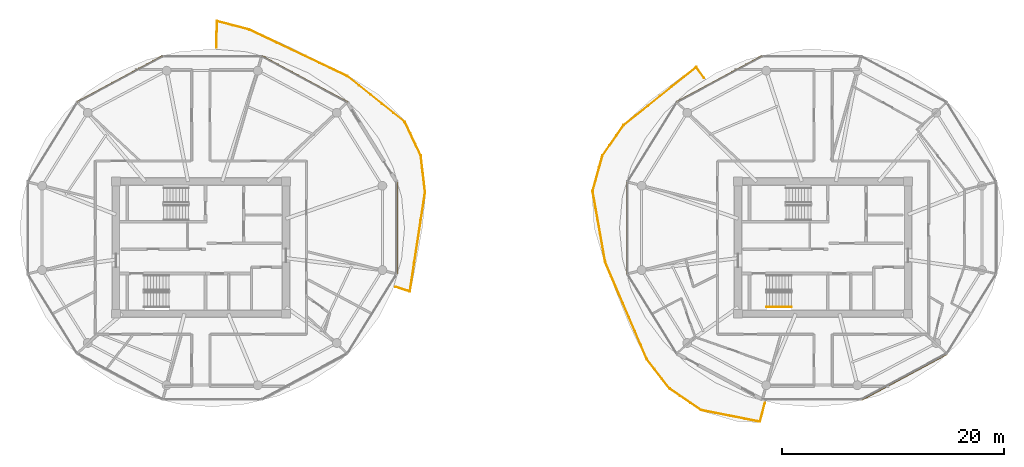
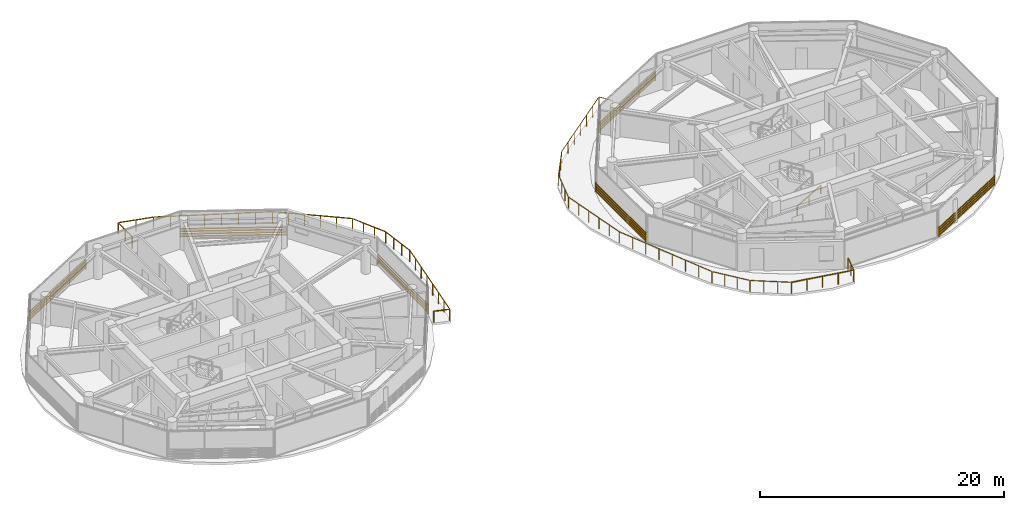
# One storey, part 20 of 21: 6 shading devices, 4 railings.
"""IFC4 building model written with IfcOpenShell, lengths in metres."""

from ifc_helpers import new_model, si_unit, direction, frame, origin, origin_2d, place, context, subcontext, project, spatial, rectangle, extrude, source, transform, mapped, material, type_object, type_shapes, element, save


model = new_model("IFC4")

# Units and contexts
model_context = context("Model", 3, precision=1e-05, world=origin(), true_north=direction((0.0, 1.0)))
body_context = subcontext(model_context, "Body", "Model", "MODEL_VIEW")
ifc_project = project(units=[si_unit("LENGTHUNIT", "METRE"), si_unit("AREAUNIT", "SQUARE_METRE"), si_unit("VOLUMEUNIT", "CUBIC_METRE"), si_unit("PLANEANGLEUNIT", "RADIAN"), si_unit("MASSUNIT", "GRAM", prefix="KILO")], contexts=[model_context])

# Site, building, storey
site_placement = place(None, origin())
site = spatial("IfcSite", under=ifc_project, at=site_placement, CompositionType="ELEMENT")
building_placement = place(site_placement, origin())
building = spatial("IfcBuilding", under=site, at=building_placement, Name="Norrkilde Senior Care Towers", CompositionType="ELEMENT")
storey_placement = place(building_placement, frame((0.0, 0.0, 140.39990234375)))
storey = spatial("IfcBuildingStorey", under=building, at=storey_placement, Name="L43", CompositionType="ELEMENT", Elevation=140.39990234375)

# Railings
ifc_material_1 = material(Name="Anodised Aluminium", Category="aluminium")
railing_type_1 = type_object("IfcRailingType", Name="Balcony Swirl Ribbon Guardrail 1150", PredefinedType="GUARDRAIL", material=ifc_material_1)
railing_1_placement = place(storey_placement, frame((17.0048828125, -14.615478515625, 0.0)))
element("IfcRailing", 1, at=railing_1_placement, inside=storey, type_object=railing_type_1, Name="L43 Perimeter Safety Guard 01", PredefinedType="GUARDRAIL", context=body_context, shape_type="SweptSolid", body=[
    extrude(rectangle(XDim=0.048095703125, YDim=0.048095703125, at=origin_2d()), frame((0.0, 0.0, 1.1259765625), z_axis=(-0.824884665875, 0.565301059618, 0.0), x_axis=(-0.565301059618, -0.824884665875, 0.0)), (0.0, 0.0, 1.0), 3.36181640625),
    extrude(rectangle(XDim=0.048095703125, YDim=0.048095703125, at=origin_2d()), frame((-2.83203125, 1.955810546875, 1.1259765625), z_axis=(-0.612551311517, 0.790430826043, 0.0), x_axis=(-0.790430826043, -0.612551311517, 0.0)), (0.0, 0.0, 1.0), 3.29052734375),
    extrude(rectangle(XDim=0.048095703125, YDim=0.048095703125, at=origin_2d()), frame((-4.888671875, 4.626708984375, 1.1259765625), z_axis=(-0.39377339906, 0.919207544678, 0.0), x_axis=(-0.919207544678, -0.39377339906, 0.0)), (0.0, 0.0, 1.0), 9.410400390625),
    extrude(rectangle(XDim=0.048095703125, YDim=0.048095703125, at=origin_2d()), frame((-8.617431640625, 13.354736328125, 1.1259765625), z_axis=(-0.175154941159, 0.984540881116, 0.0), x_axis=(-0.984540881116, -0.175154941159, 0.0)), (0.0, 0.0, 1.0), 6.4052734375),
    extrude(rectangle(XDim=0.048095703125, YDim=0.048095703125, at=origin_2d()), frame((-9.735595703125, 19.740478515625, 1.1259765625), z_axis=(0.266820201324, 0.96374632563, 0.0), x_axis=(-0.96374632563, 0.266820201324, 0.0)), (0.0, 0.0, 1.0), 3.236083984375),
    extrude(rectangle(XDim=0.048095703125, YDim=0.048095703125, at=origin_2d()), frame((-8.837890625, 22.932373046875, 1.1259765625), z_axis=(0.570566130696, 0.821251660883, 0.0), x_axis=(-0.821251660883, 0.570566130696, 0.0)), (0.0, 0.0, 1.0), 3.2490234375),
    extrude(rectangle(XDim=0.048095703125, YDim=0.048095703125, at=origin_2d()), frame((-6.928955078125, 25.659423828125, 1.1259765625), z_axis=(0.781661751106, 0.623702578845, 0.0), x_axis=(-0.623702578845, 0.781661751106, 0.0)), (0.0, 0.0, 1.0), 8.292236328125),
    extrude(rectangle(XDim=0.048095703125, YDim=0.048095703125, at=origin_2d()), frame((-0.3916015625, 30.82373046875, 1.1259765625), z_axis=(0.579476006313, -0.814989299382, 0.0), x_axis=(0.814989299382, 0.579476006313, 0.0)), (0.0, 0.0, 1.0), 1.165771484375),
    extrude(rectangle(XDim=0.0419921875, YDim=0.0419921875, at=origin_2d()), origin(), (0.0, 0.0, 1.0), 1.099853515625),
    extrude(rectangle(XDim=0.0419921875, YDim=0.0419921875, at=origin_2d()), frame((-0.935546875, 0.64111328125, 0.0)), (0.0, 0.0, 1.0), 1.099853515625),
    extrude(rectangle(XDim=0.0419921875, YDim=0.0419921875, at=origin_2d()), frame((-1.871337890625, 1.282470703125, 0.0)), (0.0, 0.0, 1.0), 1.099853515625),
    extrude(rectangle(XDim=0.0419921875, YDim=0.0419921875, at=origin_2d()), frame((-2.806884765625, 1.923583984375, 0.0)), (0.0, 0.0, 1.0), 1.099853515625),
    extrude(rectangle(XDim=0.0419921875, YDim=0.0419921875, at=origin_2d()), frame((-3.495361328125, 2.81201171875, 0.0)), (0.0, 0.0, 1.0), 1.099853515625),
    extrude(rectangle(XDim=0.0419921875, YDim=0.0419921875, at=origin_2d()), frame((-4.18408203125, 3.70068359375, 0.0)), (0.0, 0.0, 1.0), 1.099853515625),
    extrude(rectangle(XDim=0.0419921875, YDim=0.0419921875, at=origin_2d()), frame((-4.87255859375, 4.589111328125, 0.0)), (0.0, 0.0, 1.0), 1.099853515625),
    extrude(rectangle(XDim=0.0419921875, YDim=0.0419921875, at=origin_2d()), frame((-5.406494140625, 5.835693359375, 0.0)), (0.0, 0.0, 1.0), 1.099853515625),
    extrude(rectangle(XDim=0.0419921875, YDim=0.0419921875, at=origin_2d()), frame((-5.9404296875, 7.08203125, 0.0)), (0.0, 0.0, 1.0), 1.099853515625),
    extrude(rectangle(XDim=0.0419921875, YDim=0.0419921875, at=origin_2d()), frame((-6.474365234375, 8.32861328125, 0.0)), (0.0, 0.0, 1.0), 1.099853515625),
    extrude(rectangle(XDim=0.0419921875, YDim=0.0419921875, at=origin_2d()), frame((-7.008544921875, 9.574951171875, 0.0)), (0.0, 0.0, 1.0), 1.099853515625),
    extrude(rectangle(XDim=0.0419921875, YDim=0.0419921875, at=origin_2d()), frame((-7.54248046875, 10.821533203125, 0.0)), (0.0, 0.0, 1.0), 1.099853515625),
    extrude(rectangle(XDim=0.0419921875, YDim=0.0419921875, at=origin_2d()), frame((-8.076416015625, 12.06787109375, 0.0)), (0.0, 0.0, 1.0), 1.099853515625),
    extrude(rectangle(XDim=0.0419921875, YDim=0.0419921875, at=origin_2d()), frame((-8.6103515625, 13.314453125, 0.0)), (0.0, 0.0, 1.0), 1.099853515625),
    extrude(rectangle(XDim=0.0419921875, YDim=0.0419921875, at=origin_2d()), frame((-8.837646484375, 14.591796875, 0.0)), (0.0, 0.0, 1.0), 1.099853515625),
    extrude(rectangle(XDim=0.0419921875, YDim=0.0419921875, at=origin_2d()), frame((-9.06494140625, 15.869140625, 0.0)), (0.0, 0.0, 1.0), 1.099853515625),
    extrude(rectangle(XDim=0.0419921875, YDim=0.0419921875, at=origin_2d()), frame((-9.2919921875, 17.146484375, 0.0)), (0.0, 0.0, 1.0), 1.099853515625),
    extrude(rectangle(XDim=0.0419921875, YDim=0.0419921875, at=origin_2d()), frame((-9.519287109375, 18.423828125, 0.0)), (0.0, 0.0, 1.0), 1.099853515625),
    extrude(rectangle(XDim=0.0419921875, YDim=0.0419921875, at=origin_2d()), frame((-9.74658203125, 19.701171875, 0.0)), (0.0, 0.0, 1.0), 1.099853515625),
    extrude(rectangle(XDim=0.0419921875, YDim=0.0419921875, at=origin_2d()), frame((-9.451416015625, 20.76708984375, 0.0)), (0.0, 0.0, 1.0), 1.099853515625),
    extrude(rectangle(XDim=0.0419921875, YDim=0.0419921875, at=origin_2d()), frame((-9.156494140625, 21.832763671875, 0.0)), (0.0, 0.0, 1.0), 1.099853515625),
    extrude(rectangle(XDim=0.0419921875, YDim=0.0419921875, at=origin_2d()), frame((-8.861328125, 22.898681640625, 0.0)), (0.0, 0.0, 1.0), 1.099853515625),
    extrude(rectangle(XDim=0.0419921875, YDim=0.0419921875, at=origin_2d()), frame((-8.227783203125, 23.810546875, 0.0)), (0.0, 0.0, 1.0), 1.099853515625),
    extrude(rectangle(XDim=0.0419921875, YDim=0.0419921875, at=origin_2d()), frame((-7.594482421875, 24.72216796875, 0.0)), (0.0, 0.0, 1.0), 1.099853515625),
    extrude(rectangle(XDim=0.0419921875, YDim=0.0419921875, at=origin_2d()), frame((-6.9609375, 25.634033203125, 0.0)), (0.0, 0.0, 1.0), 1.099853515625),
    extrude(rectangle(XDim=0.0419921875, YDim=0.0419921875, at=origin_2d()), frame((-5.8701171875, 26.50439453125, 0.0)), (0.0, 0.0, 1.0), 1.099853515625),
    extrude(rectangle(XDim=0.0419921875, YDim=0.0419921875, at=origin_2d()), frame((-4.779052734375, 27.375, 0.0)), (0.0, 0.0, 1.0), 1.099853515625),
    extrude(rectangle(XDim=0.0419921875, YDim=0.0419921875, at=origin_2d()), frame((-3.68798828125, 28.24560546875, 0.0)), (0.0, 0.0, 1.0), 1.099853515625),
    extrude(rectangle(XDim=0.0419921875, YDim=0.0419921875, at=origin_2d()), frame((-2.59716796875, 29.115966796875, 0.0)), (0.0, 0.0, 1.0), 1.099853515625),
    extrude(rectangle(XDim=0.0419921875, YDim=0.0419921875, at=origin_2d()), frame((-1.50634765625, 29.986328125, 0.0)), (0.0, 0.0, 1.0), 1.099853515625),
    extrude(rectangle(XDim=0.0419921875, YDim=0.0419921875, at=origin_2d()), frame((-0.415283203125, 30.85693359375, 0.0)), (0.0, 0.0, 1.0), 1.099853515625),
    extrude(rectangle(XDim=0.0419921875, YDim=0.0419921875, at=origin_2d()), frame((0.283935546875, 29.87353515625, 0.0)), (0.0, 0.0, 1.0), 1.099853515625),
])
railing_2_placement = place(storey_placement, frame((22.75537109375, -13.96240234375, 0.0)))
element("IfcRailing", 2, at=railing_2_placement, inside=storey, type_object=railing_type_1, Name="L43 Perimeter Safety Guard 02", PredefinedType="GUARDRAIL", context=body_context, shape_type="SweptSolid", body=[
    extrude(rectangle(XDim=0.048095703125, YDim=0.048095703125, at=origin_2d()), frame((0.0, 0.0, 1.1259765625), z_axis=(-0.254288659261, -0.967128366749, 0.0), x_axis=(0.967128366749, -0.254288659261, 0.0)), (0.0, 0.0, 1.0), 1.720947265625),
    extrude(rectangle(XDim=0.048095703125, YDim=0.048095703125, at=origin_2d()), frame((-0.488037109375, -1.69580078125, 1.1259765625), z_axis=(-0.980924833514, 0.194387424994, 0.0), x_axis=(-0.194387424994, -0.980924833514, 0.0)), (0.0, 0.0, 1.0), 5.36474609375),
    extrude(rectangle(XDim=0.0419921875, YDim=0.0419921875, at=origin_2d()), origin(), (0.0, 0.0, 1.0), 1.099853515625),
    extrude(rectangle(XDim=0.0419921875, YDim=0.0419921875, at=origin_2d()), frame((-0.22412109375, -0.85205078125, 0.0)), (0.0, 0.0, 1.0), 1.099853515625),
    extrude(rectangle(XDim=0.0419921875, YDim=0.0419921875, at=origin_2d()), frame((-0.447998046875, -1.703857421875, 0.0)), (0.0, 0.0, 1.0), 1.099853515625),
    extrude(rectangle(XDim=0.0419921875, YDim=0.0419921875, at=origin_2d()), frame((-1.773681640625, -1.441162109375, 0.0)), (0.0, 0.0, 1.0), 1.099853515625),
    extrude(rectangle(XDim=0.0419921875, YDim=0.0419921875, at=origin_2d()), frame((-3.09912109375, -1.178466796875, 0.0)), (0.0, 0.0, 1.0), 1.099853515625),
    extrude(rectangle(XDim=0.0419921875, YDim=0.0419921875, at=origin_2d()), frame((-4.4248046875, -0.915771484375, 0.0)), (0.0, 0.0, 1.0), 1.099853515625),
    extrude(rectangle(XDim=0.0419921875, YDim=0.0419921875, at=origin_2d()), frame((-5.75048828125, -0.653076171875, 0.0)), (0.0, 0.0, 1.0), 1.099853515625),
])
railing_3_placement = place(storey_placement, frame((-26.595947265625, 18.025146484375, 0.0)))
element("IfcRailing", 3, at=railing_3_placement, inside=storey, type_object=railing_type_1, Name="L43 Perimeter Safety Guard 03", PredefinedType="GUARDRAIL", context=body_context, shape_type="SweptSolid", body=[
    extrude(rectangle(XDim=0.048095703125, YDim=0.048095703125, at=origin_2d()), frame((0.0, 0.0, 1.1259765625), z_axis=(0.01842718746, 0.999830204966, 0.0), x_axis=(-0.999830204966, 0.01842718746, 0.0)), (0.0, 0.0, 1.0), 2.3173828125),
    extrude(rectangle(XDim=0.048095703125, YDim=0.048095703125, at=origin_2d()), frame((0.0830078125, 2.34765625, 1.1259765625), z_axis=(0.967400308275, -0.253252134341, 0.0), x_axis=(0.253252134341, 0.967400308275, 0.0)), (0.0, 0.0, 1.0), 2.91064453125),
    extrude(rectangle(XDim=0.048095703125, YDim=0.048095703125, at=origin_2d()), frame((2.97509765625, 1.58251953125, 1.1259765625), z_axis=(0.903441193138, -0.428712036852, 0.0), x_axis=(0.428712036852, 0.903441193138, 0.0)), (0.0, 0.0, 1.0), 9.712158203125),
    extrude(rectangle(XDim=0.048095703125, YDim=0.048095703125, at=origin_2d()), frame((11.818359375, -2.6240234375, 1.1259765625), z_axis=(0.781400050526, -0.624030416757, 0.0), x_axis=(0.624030416757, 0.781400050526, 0.0)), (0.0, 0.0, 1.0), 6.55029296875),
    extrude(rectangle(XDim=0.048095703125, YDim=0.048095703125, at=origin_2d()), frame((16.986083984375, -6.774169921875, 1.1259765625), z_axis=(0.426618675713, -0.904431592512, 0.0), x_axis=(0.904431592512, 0.426618675713, 0.0)), (0.0, 0.0, 1.0), 3.251708984375),
    extrude(rectangle(XDim=0.048095703125, YDim=0.048095703125, at=origin_2d()), frame((18.3955078125, -9.792724609375, 1.1259765625), z_axis=(0.115030182965, -0.993361996961, 0.0), x_axis=(0.993361996961, 0.115030182965, 0.0)), (0.0, 0.0, 1.0), 3.22705078125),
    extrude(rectangle(XDim=0.048095703125, YDim=0.048095703125, at=origin_2d()), frame((18.765380859375, -13.07958984375, 1.1259765625), z_axis=(-0.151454312188, -0.988464259, 0.0), x_axis=(0.988464259, -0.151454312188, 0.0)), (0.0, 0.0, 1.0), 8.95654296875),
    extrude(rectangle(XDim=0.048095703125, YDim=0.048095703125, at=origin_2d()), frame((17.36376953125, -21.96044921875, 1.1259765625), z_axis=(-0.950587982941, 0.310455289354, 0.0), x_axis=(-0.310455289354, -0.950587982941, 0.0)), (0.0, 0.0, 1.0), 1.305419921875),
    extrude(rectangle(XDim=0.0419921875, YDim=0.0419921875, at=origin_2d()), origin(), (0.0, 0.0, 1.0), 1.099853515625),
    extrude(rectangle(XDim=0.0419921875, YDim=0.0419921875, at=origin_2d()), frame((0.021728515625, 1.178955078125, 0.0)), (0.0, 0.0, 1.0), 1.099853515625),
    extrude(rectangle(XDim=0.0419921875, YDim=0.0419921875, at=origin_2d()), frame((0.04345703125, 2.35791015625, 0.0)), (0.0, 0.0, 1.0), 1.099853515625),
    extrude(rectangle(XDim=0.0419921875, YDim=0.0419921875, at=origin_2d()), frame((1.49072265625, 1.97900390625, 0.0)), (0.0, 0.0, 1.0), 1.099853515625),
    extrude(rectangle(XDim=0.0419921875, YDim=0.0419921875, at=origin_2d()), frame((2.938232421875, 1.60009765625, 0.0)), (0.0, 0.0, 1.0), 1.099853515625),
    extrude(rectangle(XDim=0.0419921875, YDim=0.0419921875, at=origin_2d()), frame((4.2021484375, 1.000244140625, 0.0)), (0.0, 0.0, 1.0), 1.099853515625),
    extrude(rectangle(XDim=0.0419921875, YDim=0.0419921875, at=origin_2d()), frame((5.46630859375, 0.400390625, 0.0)), (0.0, 0.0, 1.0), 1.099853515625),
    extrude(rectangle(XDim=0.0419921875, YDim=0.0419921875, at=origin_2d()), frame((6.730224609375, -0.199462890625, 0.0)), (0.0, 0.0, 1.0), 1.099853515625),
    extrude(rectangle(XDim=0.0419921875, YDim=0.0419921875, at=origin_2d()), frame((7.994384765625, -0.799072265625, 0.0)), (0.0, 0.0, 1.0), 1.099853515625),
    extrude(rectangle(XDim=0.0419921875, YDim=0.0419921875, at=origin_2d()), frame((9.25830078125, -1.39892578125, 0.0)), (0.0, 0.0, 1.0), 1.099853515625),
    extrude(rectangle(XDim=0.0419921875, YDim=0.0419921875, at=origin_2d()), frame((10.5224609375, -1.998779296875, 0.0)), (0.0, 0.0, 1.0), 1.099853515625),
    extrude(rectangle(XDim=0.0419921875, YDim=0.0419921875, at=origin_2d()), frame((11.786376953125, -2.5986328125, 0.0)), (0.0, 0.0, 1.0), 1.099853515625),
    extrude(rectangle(XDim=0.0419921875, YDim=0.0419921875, at=origin_2d()), frame((12.82275390625, -3.42626953125, 0.0)), (0.0, 0.0, 1.0), 1.099853515625),
    extrude(rectangle(XDim=0.0419921875, YDim=0.0419921875, at=origin_2d()), frame((13.859375, -4.254150390625, 0.0)), (0.0, 0.0, 1.0), 1.099853515625),
    extrude(rectangle(XDim=0.0419921875, YDim=0.0419921875, at=origin_2d()), frame((14.895751953125, -5.081787109375, 0.0)), (0.0, 0.0, 1.0), 1.099853515625),
    extrude(rectangle(XDim=0.0419921875, YDim=0.0419921875, at=origin_2d()), frame((15.932373046875, -5.90966796875, 0.0)), (0.0, 0.0, 1.0), 1.099853515625),
    extrude(rectangle(XDim=0.0419921875, YDim=0.0419921875, at=origin_2d()), frame((16.96875, -6.7373046875, 0.0)), (0.0, 0.0, 1.0), 1.099853515625),
    extrude(rectangle(XDim=0.0419921875, YDim=0.0419921875, at=origin_2d()), frame((17.44287109375, -7.7421875, 0.0)), (0.0, 0.0, 1.0), 1.099853515625),
    extrude(rectangle(XDim=0.0419921875, YDim=0.0419921875, at=origin_2d()), frame((17.916748046875, -8.747314453125, 0.0)), (0.0, 0.0, 1.0), 1.099853515625),
    extrude(rectangle(XDim=0.0419921875, YDim=0.0419921875, at=origin_2d()), frame((18.390869140625, -9.752197265625, 0.0)), (0.0, 0.0, 1.0), 1.099853515625),
    extrude(rectangle(XDim=0.0419921875, YDim=0.0419921875, at=origin_2d()), frame((18.517822265625, -10.847900390625, 0.0)), (0.0, 0.0, 1.0), 1.099853515625),
    extrude(rectangle(XDim=0.0419921875, YDim=0.0419921875, at=origin_2d()), frame((18.64453125, -11.943359375, 0.0)), (0.0, 0.0, 1.0), 1.099853515625),
    extrude(rectangle(XDim=0.0419921875, YDim=0.0419921875, at=origin_2d()), frame((18.771484375, -13.0390625, 0.0)), (0.0, 0.0, 1.0), 1.099853515625),
    extrude(rectangle(XDim=0.0419921875, YDim=0.0419921875, at=origin_2d()), frame((18.575927734375, -14.3154296875, 0.0)), (0.0, 0.0, 1.0), 1.099853515625),
    extrude(rectangle(XDim=0.0419921875, YDim=0.0419921875, at=origin_2d()), frame((18.38037109375, -15.591552734375, 0.0)), (0.0, 0.0, 1.0), 1.099853515625),
    extrude(rectangle(XDim=0.0419921875, YDim=0.0419921875, at=origin_2d()), frame((18.184814453125, -16.867919921875, 0.0)), (0.0, 0.0, 1.0), 1.099853515625),
    extrude(rectangle(XDim=0.0419921875, YDim=0.0419921875, at=origin_2d()), frame((17.9892578125, -18.144287109375, 0.0)), (0.0, 0.0, 1.0), 1.099853515625),
    extrude(rectangle(XDim=0.0419921875, YDim=0.0419921875, at=origin_2d()), frame((17.793701171875, -19.420654296875, 0.0)), (0.0, 0.0, 1.0), 1.099853515625),
    extrude(rectangle(XDim=0.0419921875, YDim=0.0419921875, at=origin_2d()), frame((17.59814453125, -20.69677734375, 0.0)), (0.0, 0.0, 1.0), 1.099853515625),
    extrude(rectangle(XDim=0.0419921875, YDim=0.0419921875, at=origin_2d()), frame((17.402587890625, -21.97314453125, 0.0)), (0.0, 0.0, 1.0), 1.099853515625),
    extrude(rectangle(XDim=0.0419921875, YDim=0.0419921875, at=origin_2d()), frame((16.122802734375, -21.55517578125, 0.0)), (0.0, 0.0, 1.0), 1.099853515625),
])
ifc_material_2 = material(Name="Nordic Ash Timber", Category="wood")
railing_type_2 = type_object("IfcRailingType", Name="Wall and Stair Handrail 900", PredefinedType="HANDRAIL", material=ifc_material_2)
railing_4_placement = place(storey_placement, frame((22.89990234375, -5.35009765625, 0.16943359375)))
element("IfcRailing", 4, at=railing_4_placement, inside=storey, type_object=railing_type_2, Name="L43 ST-E2 stair handrail 1", PredefinedType="HANDRAIL", context=body_context, shape_type="SweptSolid", body=[
    extrude(rectangle(XDim=0.048095703125, YDim=0.048095703125, at=origin_2d()), frame((0.0, 0.0, 0.8759765625), z_axis=(0.855512035549, 0.0, 0.517782924622), x_axis=(0.0, 1.0, 0.0)), (0.0, 0.0, 1.0), 2.618408203125),
    extrude(rectangle(XDim=0.0419921875, YDim=0.0419921875, at=origin_2d()), origin(), (0.0, 0.0, 1.0), 0.849853515625),
    extrude(rectangle(XDim=0.0419921875, YDim=0.0419921875, at=origin_2d()), frame((1.1201171875, 0.0, 0.677734375)), (0.0, 0.0, 1.0), 0.849853515625),
    extrude(rectangle(XDim=0.0419921875, YDim=0.0419921875, at=origin_2d()), frame((2.239990234375, 0.0, 1.355712890625)), (0.0, 0.0, 1.0), 0.849853515625),
])

# Shading devices
ifc_material_3 = material(Name="Architectural Terracotta", Category="masonry")
shading_device_type = type_object("IfcShadingDeviceType", Name="Horizontal Terracotta Baguette Rack", PredefinedType="USERDEFINED", material=ifc_material_3)
shared_shape_1 = source(origin(), body_context, "Body", "SweptSolid", [
    extrude(rectangle(XDim=0.070068359375, YDim=0.110107421875, at=origin_2d()), frame((0.0, 0.090087890625, 0.125), z_axis=(1.0, 0.0, 0.0), x_axis=(0.0, 1.0, 0.0)), (0.0, 0.0, 1.0), 8.741943359375),
    extrude(rectangle(XDim=0.070068359375, YDim=0.110107421875, at=origin_2d()), frame((0.0, 0.090087890625, 0.375), z_axis=(1.0, 0.0, 0.0), x_axis=(0.0, 1.0, 0.0)), (0.0, 0.0, 1.0), 8.741943359375),
    extrude(rectangle(XDim=0.070068359375, YDim=0.110107421875, at=origin_2d()), frame((0.0, 0.090087890625, 0.625), z_axis=(1.0, 0.0, 0.0), x_axis=(0.0, 1.0, 0.0)), (0.0, 0.0, 1.0), 8.741943359375),
    extrude(rectangle(XDim=0.070068359375, YDim=0.110107421875, at=origin_2d()), frame((0.0, 0.090087890625, 0.875), z_axis=(1.0, 0.0, 0.0), x_axis=(0.0, 1.0, 0.0)), (0.0, 0.0, 1.0), 8.741943359375),
    extrude(rectangle(XDim=0.050048828125, YDim=0.1552734375, at=origin_2d()), frame((0.02490234375, 0.047607421875, 0.0)), (0.0, 0.0, 1.0), 1.0),
    extrude(rectangle(XDim=0.050048828125, YDim=0.1552734375, at=origin_2d()), frame((8.716796875, 0.047607421875, 0.0)), (0.0, 0.0, 1.0), 1.0),
])
for number, where, z_axis, x_axis, name in (
    (5, (-22.528564453125, 17.2109375, 0.080078125), (0.0, 0.0, 1.0), (0.881000921608, -0.473119781048, 0.0), "L43 Drum W Terracotta Baguette Screen 01"),
    (6, (14.826904296875, 13.074951171875, 0.080078125), (0.0, 0.0, 1.0), (0.881000921608, 0.473119781048, 0.0), "L43 Drum E Terracotta Baguette Screen 03"),
):
    element("IfcShadingDevice", number, at=place(storey_placement, frame(where, z_axis=z_axis, x_axis=x_axis)), inside=storey, type_object=shading_device_type, Name=name, ObjectType="BAGUETTE", PredefinedType="USERDEFINED", context=body_context, shape_type="MappedRepresentation", body=[
        mapped(shared_shape_1, transform((0.0, 0.0, 0.0), x_axis=(1.0, 0.0, 0.0), y_axis=(0.0, 1.0, 0.0), z_axis=(0.0, 0.0, 1.0), scale=1.0)),
    ])
shared_shape_2 = source(origin(), body_context, "Body", "SweptSolid", [
    extrude(rectangle(XDim=0.070068359375, YDim=0.110107421875, at=origin_2d()), frame((0.0, 0.090087890625, 0.125), z_axis=(1.0, 0.0, 0.0), x_axis=(0.0, 1.0, 0.0)), (0.0, 0.0, 1.0), 8.74169921875),
    extrude(rectangle(XDim=0.070068359375, YDim=0.110107421875, at=origin_2d()), frame((0.0, 0.090087890625, 0.375), z_axis=(1.0, 0.0, 0.0), x_axis=(0.0, 1.0, 0.0)), (0.0, 0.0, 1.0), 8.74169921875),
    extrude(rectangle(XDim=0.070068359375, YDim=0.110107421875, at=origin_2d()), frame((0.0, 0.090087890625, 0.625), z_axis=(1.0, 0.0, 0.0), x_axis=(0.0, 1.0, 0.0)), (0.0, 0.0, 1.0), 8.74169921875),
    extrude(rectangle(XDim=0.070068359375, YDim=0.110107421875, at=origin_2d()), frame((0.0, 0.090087890625, 0.875), z_axis=(1.0, 0.0, 0.0), x_axis=(0.0, 1.0, 0.0)), (0.0, 0.0, 1.0), 8.74169921875),
    extrude(rectangle(XDim=0.050048828125, YDim=0.1552734375, at=origin_2d()), frame((0.02490234375, 0.047607421875, 0.0)), (0.0, 0.0, 1.0), 1.0),
    extrude(rectangle(XDim=0.050048828125, YDim=0.1552734375, at=origin_2d()), frame((8.716796875, 0.047607421875, 0.0)), (0.0, 0.0, 1.0), 1.0),
])
for number, where, z_axis, x_axis, name in (
    (7, (-39.123046875, 13.074951171875, 0.080078125), (0.0, 0.0, 1.0), (0.880997598168, 0.47313299447, 0.0), "L43 Drum W Terracotta Baguette Screen 03"),
    (8, (39.123046875, -9.524169921875, 0.080078125), (0.0, 0.0, 1.0), (-0.880997598168, -0.47313299447, 0.0), "L43 Drum E Terracotta Baguette Screen 09"),
):
    element("IfcShadingDevice", number, at=place(storey_placement, frame(where, z_axis=z_axis, x_axis=x_axis)), inside=storey, type_object=shading_device_type, Name=name, ObjectType="BAGUETTE", PredefinedType="USERDEFINED", context=body_context, shape_type="MappedRepresentation", body=[
        mapped(shared_shape_2, transform((0.0, 0.0, 0.0), x_axis=(1.0, 0.0, 0.0), y_axis=(0.0, 1.0, 0.0), z_axis=(0.0, 0.0, 1.0), scale=1.0)),
    ])
shared_shape_3 = source(origin(), body_context, "Body", "SweptSolid", [
    extrude(rectangle(XDim=0.070068359375, YDim=0.110107421875, at=origin_2d()), frame((0.0, 0.090087890625, 0.125), z_axis=(1.0, 0.0, 0.0), x_axis=(0.0, 1.0, 0.0)), (0.0, 0.0, 1.0), 8.27197265625),
    extrude(rectangle(XDim=0.070068359375, YDim=0.110107421875, at=origin_2d()), frame((0.0, 0.090087890625, 0.375), z_axis=(1.0, 0.0, 0.0), x_axis=(0.0, 1.0, 0.0)), (0.0, 0.0, 1.0), 8.27197265625),
    extrude(rectangle(XDim=0.070068359375, YDim=0.110107421875, at=origin_2d()), frame((0.0, 0.090087890625, 0.625), z_axis=(1.0, 0.0, 0.0), x_axis=(0.0, 1.0, 0.0)), (0.0, 0.0, 1.0), 8.27197265625),
    extrude(rectangle(XDim=0.070068359375, YDim=0.110107421875, at=origin_2d()), frame((0.0, 0.090087890625, 0.875), z_axis=(1.0, 0.0, 0.0), x_axis=(0.0, 1.0, 0.0)), (0.0, 0.0, 1.0), 8.27197265625),
    extrude(rectangle(XDim=0.050048828125, YDim=0.1552734375, at=origin_2d()), frame((0.02490234375, 0.047607421875, 0.0)), (0.0, 0.0, 1.0), 1.0),
    extrude(rectangle(XDim=0.050048828125, YDim=0.1552734375, at=origin_2d()), frame((8.2470703125, 0.047607421875, 0.0)), (0.0, 0.0, 1.0), 1.0),
])
type_shapes(shading_device_type, [shared_shape_1, shared_shape_2, shared_shape_3])
for number, where, z_axis, x_axis, name in (
    (9, (-10.38037109375, 5.911376953125, 0.080078125), (0.0, 0.0, 1.0), (0.0, -1.0, 0.0), "L43 Drum W Terracotta Baguette Screen 11"),
    (10, (10.38037109375, -2.360595703125, 0.080078125), (0.0, 0.0, 1.0), (0.0, 1.0, 0.0), "L43 Drum E Terracotta Baguette Screen 05"),
):
    element("IfcShadingDevice", number, at=place(storey_placement, frame(where, z_axis=z_axis, x_axis=x_axis)), inside=storey, type_object=shading_device_type, Name=name, ObjectType="BAGUETTE", PredefinedType="USERDEFINED", context=body_context, shape_type="MappedRepresentation", body=[
        mapped(shared_shape_3, transform((0.0, 0.0, 0.0), x_axis=(1.0, 0.0, 0.0), y_axis=(0.0, 1.0, 0.0), z_axis=(0.0, 0.0, 1.0), scale=1.0)),
    ])

save(model, "model.ifc")
